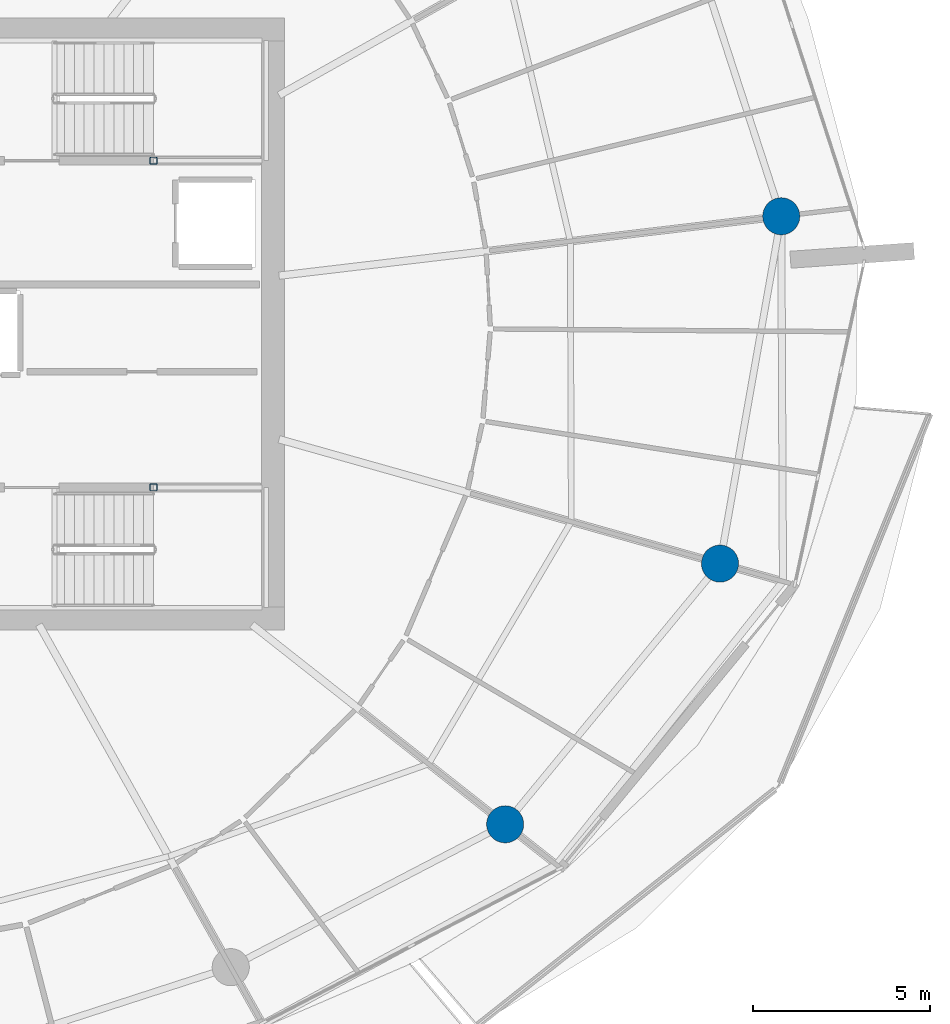
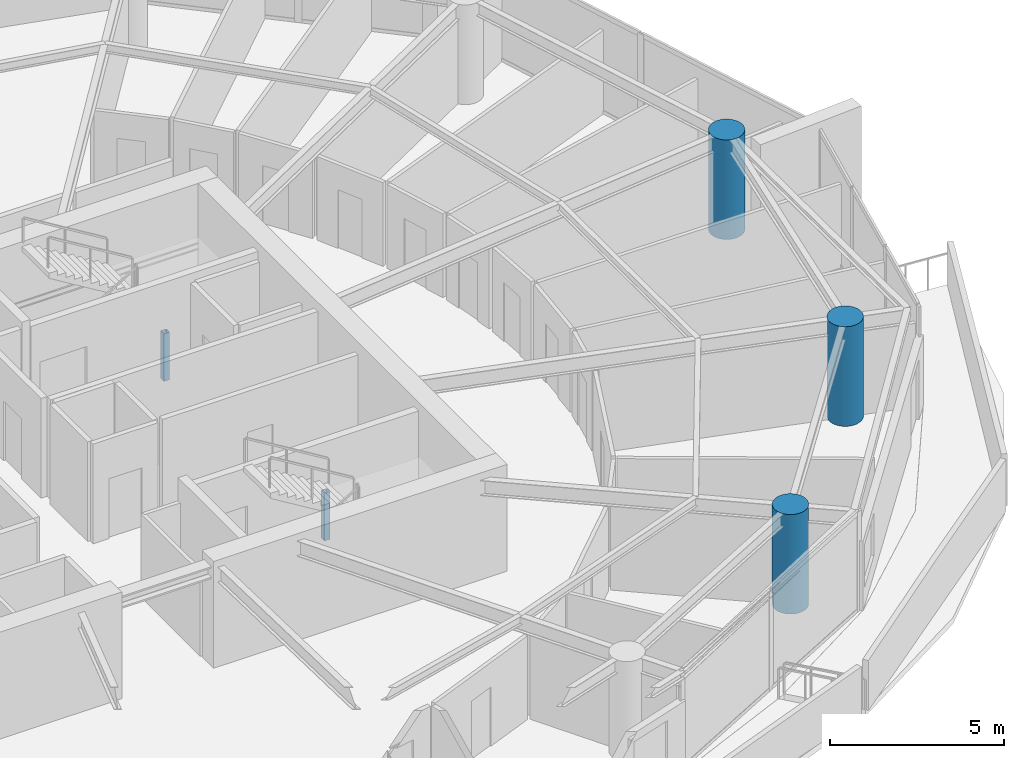
# One storey, part 3 of 21: 5 columns.
"""IFC4 building model written with IfcOpenShell, lengths in metres."""

from ifc_helpers import new_model, si_unit, direction, frame, origin, origin_2d, place, context, subcontext, project, spatial, hollow_rectangle, circle, extrude, material, material_profile, profile_set, type_object, element, save


model = new_model("IFC4")

# Units and contexts
model_context = context("Model", 3, precision=1e-05, world=origin(), true_north=direction((0.0, 1.0)))
body_context = subcontext(model_context, "Body", "Model", "MODEL_VIEW")
ifc_project = project(units=[si_unit("LENGTHUNIT", "METRE"), si_unit("AREAUNIT", "SQUARE_METRE"), si_unit("VOLUMEUNIT", "CUBIC_METRE"), si_unit("PLANEANGLEUNIT", "RADIAN"), si_unit("MASSUNIT", "GRAM", prefix="KILO")], contexts=[model_context])

# Site, building, storey
site_placement = place(None, origin())
site = spatial("IfcSite", under=ifc_project, at=site_placement, CompositionType="ELEMENT")
building_placement = place(site_placement, origin())
building = spatial("IfcBuilding", under=site, at=building_placement, Name="Kazma Halo Residences", CompositionType="ELEMENT")
storey_placement = place(building_placement, frame((0.0, 0.0, 187.800048828125)))
storey = spatial("IfcBuildingStorey", under=building, at=storey_placement, Name="L47", CompositionType="ELEMENT", Elevation=187.800048828125)

# Columns
ifc_material_1 = material(Name="Steel S355", Category="steel")
ifc_material_profile_1 = material_profile(ifc_material_1, hollow_rectangle(XDim=0.199951171875, YDim=0.199951171875, WallThickness=0.010009765625, InnerFilletRadius=0.010009765625, OuterFilletRadius=0.02001953125, at=origin_2d()), Name="SHS200x200x10")
ifc_profile_set_1 = profile_set([ifc_material_profile_1], Name="Steel S355")
column_type_1 = type_object("IfcColumnType", Name="COL-LP-SHS200", PredefinedType="COLUMN", material=ifc_profile_set_1)
for number, where, z_axis, x_axis, name in (
    (1, (56.0, 46.6201171875, 0.0), (0.0, 0.0, 1.0), (1.0, 0.0, 0.0), "L47 ST-02 landing pilaster 1"),
    (2, (56.0, 37.3798828125, 0.0), (0.0, 0.0, 1.0), (1.0, 0.0, 0.0), "L47 ST-03 landing pilaster 1"),
):
    element("IfcColumn", number, at=place(storey_placement, frame(where, z_axis=z_axis, x_axis=x_axis)), inside=storey, type_object=column_type_1, Name=name, PredefinedType="COLUMN", context=body_context, shape_type="SweptSolid", body=[
        extrude(hollow_rectangle(XDim=0.199951171875, YDim=0.199951171875, WallThickness=0.010009765625, InnerFilletRadius=0.010009765625, OuterFilletRadius=0.02001953125, at=origin_2d()), origin(), (0.0, 0.0, 1.0), 1.669921875),
    ])
ifc_material_2 = material(Name="Concrete C80/95", Category="concrete")
ifc_material_profile_2 = material_profile(ifc_material_2, circle(Radius=0.52490234375, at=origin_2d()), Name="CIRC1050")
ifc_profile_set_2 = profile_set([ifc_material_profile_2], Name="Concrete C80/95")
column_type_2 = type_object("IfcColumnType", Name="COL-PERIM-1050", PredefinedType="COLUMN", material=ifc_profile_set_2)
for number, where, z_axis, x_axis, name in (
    (3, (65.944091796875, 27.85400390625, 0.0), (0.0, 0.0, 1.0), (1.0, 0.0, 0.0), "L47 perimeter ring column P14"),
    (4, (72.019775390625, 35.2255859375, 0.0), (0.0, 0.0, 1.0), (1.0, 0.0, 0.0), "L47 perimeter ring column P15"),
    (5, (73.751708984375, 45.0478515625, 0.0), (0.0, 0.0, 1.0), (1.0, 0.0, 0.0), "L47 perimeter ring column P16"),
):
    element("IfcColumn", number, at=place(storey_placement, frame(where, z_axis=z_axis, x_axis=x_axis)), inside=storey, type_object=column_type_2, Name=name, PredefinedType="COLUMN", context=body_context, shape_type="SweptSolid", body=[
        extrude(circle(Radius=0.52490234375, at=origin_2d()), origin(), (0.0, 0.0, 1.0), 3.5),
    ])

save(model, "model.ifc")
